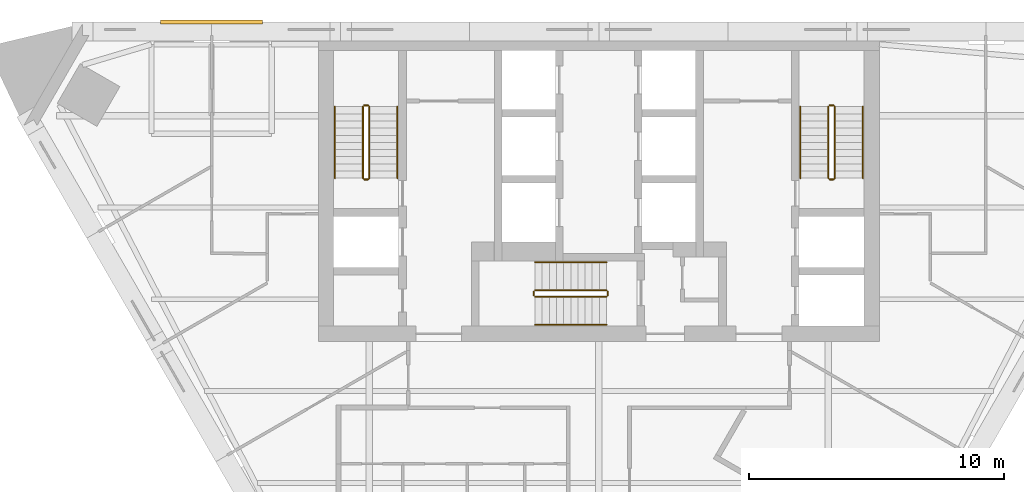
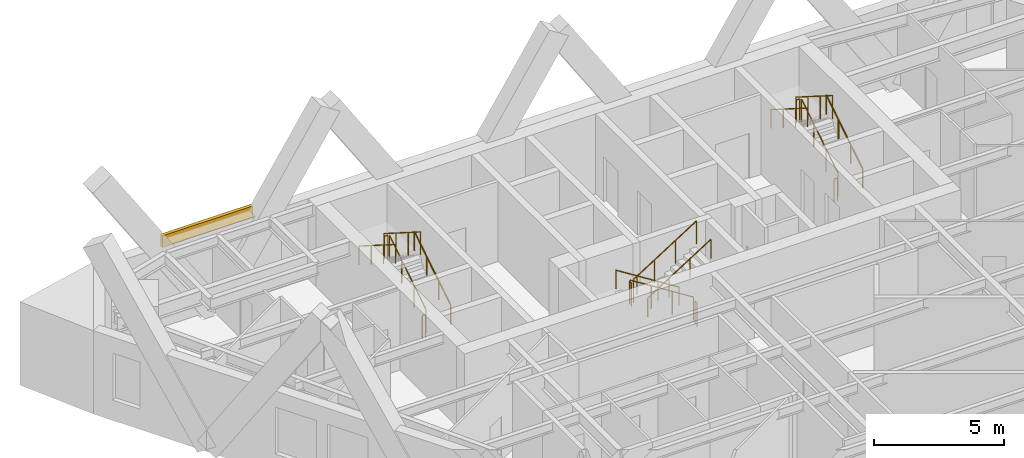
# One storey, part 7 of 7: 18 railings, 1 covering.
"""IFC4 building model written with IfcOpenShell, lengths in metres."""

import ifcopenshell
import ifcopenshell.guid

model = None  # the IFC model being written
_history = None  # IfcOwnerHistory: only IFC2X3 demands one
_inside = {}  # id of a spatial element -> (the spatial element, [elements in it])
_under = {}  # id of a project, library or spatial element -> (it, [spatial elements below it])
_declared = {}  # id of a project -> (the project, [libraries it declares])
_typed = {}  # id of a type object -> (the type object, [elements of that type])
_made_of = {}  # id of a material, layer set ... -> (it, [elements and type objects made of it])


def new_model(schema):
    """Start an empty IFC model of exactly this schema.

    Asked for "IFC4X3", IfcOpenShell would pick the latest addendum, in which some entities
    have other attributes; the version numbers below select the first issue.
    IFC2X3 requires an IfcOwnerHistory on every rooted entity: one is made here for all.
    """
    global model, _history
    if schema == "IFC4X3":
        model = ifcopenshell.file(schema_version=(4, 3, 0, 0))
    else:
        model = ifcopenshell.file(schema=schema)
    _inside.clear()
    _under.clear()
    _declared.clear()
    _typed.clear()
    _made_of.clear()
    _history = None
    if model.schema == "IFC2X3":
        org = make("IfcOrganization", Name="unknown")
        user = make(
            "IfcPersonAndOrganization",
            ThePerson=make("IfcPerson", FamilyName="unknown"),
            TheOrganization=org,
        )
        app = make(
            "IfcApplication",
            ApplicationDeveloper=org,
            Version="unknown",
            ApplicationFullName="unknown",
            ApplicationIdentifier="unknown",
        )
        _history = make(
            "IfcOwnerHistory",
            OwningUser=user,
            OwningApplication=app,
            ChangeAction="ADDED",
            CreationDate=0,
        )
    return model


def make(cls, **values):
    """One entity of the class cls with the attributes given. An attribute that is None is left unset."""
    return model.create_entity(
        cls, **{name: value for name, value in values.items() if value is not None}
    )


def rooted(cls, **values):
    """An entity with a GlobalId (a new one), such as an element, a storey or a relation."""
    return make(cls, GlobalId=ifcopenshell.guid.new(), OwnerHistory=_history, **values)


def si_unit(unit_type, name, prefix=None):
    """IfcSIUnit, for example si_unit("LENGTHUNIT", "METRE", prefix="MILLI")."""
    return make("IfcSIUnit", UnitType=unit_type, Prefix=prefix, Name=name)


def assignment(units):
    """IfcUnitAssignment: the units of a project."""
    return None if units is None else make("IfcUnitAssignment", Units=units)


def point(xyz):
    """IfcCartesianPoint."""
    return None if xyz is None else make("IfcCartesianPoint", Coordinates=xyz)


def direction(xyz):
    """IfcDirection."""
    return None if xyz is None else make("IfcDirection", DirectionRatios=xyz)


def frame(location, z_axis=None, x_axis=None):
    """IfcAxis2Placement3D, a coordinate frame: its origin and axes. An axis left out is left unset."""
    return make(
        "IfcAxis2Placement3D",
        Location=point(location),
        Axis=direction(z_axis),
        RefDirection=direction(x_axis),
    )


def frame_2d(location, x_axis=None):
    """IfcAxis2Placement2D, a coordinate frame in the plane: its origin and x axis."""
    return make(
        "IfcAxis2Placement2D", Location=point(location), RefDirection=direction(x_axis)
    )


def origin():
    """The frame at (0, 0, 0) with its axes left unset."""
    return frame((0.0, 0.0, 0.0))


def origin_2d():
    """The frame at (0, 0) in the plane with its x axis left unset."""
    return frame_2d((0.0, 0.0))


def place(relative_to, where):
    """IfcLocalPlacement: puts the frame where relative to a parent placement (None: the world)."""
    return make(
        "IfcLocalPlacement", PlacementRelTo=relative_to, RelativePlacement=where
    )


def context(
    kind, dimensions, precision=None, world=None, true_north=None, identifier=None
):
    """IfcGeometricRepresentationContext, for example the 3D "Model" context."""
    return make(
        "IfcGeometricRepresentationContext",
        ContextIdentifier=identifier,
        ContextType=kind,
        CoordinateSpaceDimension=dimensions,
        Precision=precision,
        WorldCoordinateSystem=world,
        TrueNorth=true_north,
    )


def subcontext(parent, identifier, kind, view, scale=None):
    """IfcGeometricRepresentationSubContext, for example "Body" below "Model"."""
    return make(
        "IfcGeometricRepresentationSubContext",
        ContextIdentifier=identifier,
        ContextType=kind,
        ParentContext=parent,
        TargetScale=scale,
        TargetView=view,
    )


def project(units=None, contexts=None):
    """IfcProject with its units and contexts."""
    return rooted(
        "IfcProject",
        Name="project",
        RepresentationContexts=contexts,
        UnitsInContext=assignment(units),
    )


def spatial(cls, under=None, at=None, **own):
    """A site, building, storey or space (cls), placed at a placement, below another one or the project."""
    s = rooted(cls, ObjectPlacement=at, **own)
    if under is not None:
        _under.setdefault(under.id(), (under, []))[1].append(s)
    return s


def polyline(points):
    """IfcPolyline through the points."""
    return make("IfcPolyline", Points=[point(p) for p in points])


def profile(cls, at=None, kind="AREA", **sizes):
    """A parametric profile (cls). Its sizes go by their IFC names, for example OverallWidth=200.0."""
    return make(cls, ProfileType=kind, Position=at, **sizes)


def circle(**sizes):
    """IfcCircleProfileDef."""
    return profile("IfcCircleProfileDef", **sizes)


def outline(outer, holes=None, kind="AREA"):
    """IfcArbitraryClosedProfileDef: a profile drawn as a closed curve; with holes, ...WithVoids."""
    if holes is None:
        return make("IfcArbitraryClosedProfileDef", ProfileType=kind, OuterCurve=outer)
    return make(
        "IfcArbitraryProfileDefWithVoids",
        ProfileType=kind,
        OuterCurve=outer,
        InnerCurves=holes,
    )


def extrude(swept, where, along, depth):
    """IfcExtrudedAreaSolid: the profile swept, set in the frame where, extruded along a direction by depth."""
    return make(
        "IfcExtrudedAreaSolid",
        SweptArea=swept,
        Position=where,
        ExtrudedDirection=direction(along),
        Depth=depth,
    )


def shape(context_of_items, identifier, shape_type, items):
    """IfcShapeRepresentation: the items that make up one representation, for example the "Body"."""
    return make(
        "IfcShapeRepresentation",
        ContextOfItems=context_of_items,
        RepresentationIdentifier=identifier,
        RepresentationType=shape_type,
        Items=items,
    )


def material(Name=None, Category=None):
    """IfcMaterial."""
    return make("IfcMaterial", Name=Name, Category=Category)


def layer(
    of_material, thickness, ventilated=None, Name=None, Category=None, Priority=None
):
    """IfcMaterialLayer: one layer of a wall or slab, of a material (None: an air gap)."""
    return make(
        "IfcMaterialLayer",
        Material=of_material,
        LayerThickness=thickness,
        IsVentilated=ventilated,
        Name=Name,
        Category=Category,
        Priority=Priority,
    )


def layer_set(layers, Name=None):
    """IfcMaterialLayerSet."""
    return make("IfcMaterialLayerSet", MaterialLayers=layers, LayerSetName=Name)


def made_of(thing, what):
    """Note that an element or type object is made of a material, layer set ...; save() writes the relation."""
    if what is not None:
        _made_of.setdefault(what.id(), (what, []))[1].append(thing)
    return thing


def type_object(cls, material=None, **own):
    """A type object (cls), such as IfcWallType, which elements share."""
    return made_of(rooted(cls, **own), material)


def element(
    cls,
    number,
    at=None,
    inside=None,
    cuts=None,
    type_object=None,
    material=None,
    context=None,
    identifier="Body",
    shape_type=None,
    held_by="IfcProductDefinitionShape",
    body=None,
    shapes=None,
    **own,
):
    """One element of the class cls, such as IfcWall. Its Tag is "e" and its number.

    at: its placement. inside: the storey or other place that contains it. cuts: it is an
    opening in that element (IfcRelVoidsElement). A single representation is given by context,
    identifier, shape_type and body (its items); several are given by shapes. held_by: the class
    of the entity that holds the representations. save() writes the other relations.
    """
    e = rooted(cls, Tag="e%d" % number, ObjectPlacement=at, **own)
    if body is not None:
        shapes = [shape(context, identifier, shape_type, body)]
    if shapes is not None:
        e.Representation = make(held_by, Representations=shapes)
    if inside is not None:
        _inside.setdefault(inside.id(), (inside, []))[1].append(e)
    if cuts is not None:
        rooted(
            "IfcRelVoidsElement", RelatingBuildingElement=cuts, RelatedOpeningElement=e
        )
    if type_object is not None:
        _typed.setdefault(type_object.id(), (type_object, []))[1].append(e)
    return made_of(e, material)


def aggregate(whole, parts):
    """IfcRelAggregates: a whole, such as a stair, and the parts it consists of."""
    return rooted("IfcRelAggregates", RelatingObject=whole, RelatedObjects=parts)


def save(model, path):
    """Write the relations noted so far, then the file.

    IfcRelAggregates (storeys below a building ...), IfcRelContainedInSpatialStructure (elements
    in a storey), IfcRelDefinesByType, IfcRelAssociatesMaterial and IfcRelDeclares: one each for
    every whole, place, type object, material and project.
    """
    for whole, parts in _under.values():
        aggregate(whole, parts)
    for where, things in _inside.values():
        rooted(
            "IfcRelContainedInSpatialStructure",
            RelatedElements=things,
            RelatingStructure=where,
        )
    for kind, things in _typed.values():
        rooted("IfcRelDefinesByType", RelatedObjects=things, RelatingType=kind)
    for what, things in _made_of.values():
        rooted("IfcRelAssociatesMaterial", RelatedObjects=things, RelatingMaterial=what)
    for by, libraries in _declared.values():
        rooted("IfcRelDeclares", RelatingContext=by, RelatedDefinitions=libraries)
    model.write(path)


model = new_model("IFC4")

# Units and contexts
model_context = context("Model", 3, precision=1e-05, world=origin(), true_north=direction((0.0, 1.0)))
body_context = subcontext(model_context, "Body", "Model", "MODEL_VIEW")
ifc_project = project(units=[si_unit("LENGTHUNIT", "METRE"), si_unit("AREAUNIT", "SQUARE_METRE"), si_unit("VOLUMEUNIT", "CUBIC_METRE"), si_unit("PLANEANGLEUNIT", "RADIAN"), si_unit("MASSUNIT", "GRAM", prefix="KILO")], contexts=[model_context])

# Site, building, storey
site_placement = place(None, origin())
site = spatial("IfcSite", under=ifc_project, at=site_placement, CompositionType="ELEMENT")
building_placement = place(site_placement, origin())
building = spatial("IfcBuilding", under=site, at=building_placement, Name="Aloe Facet Convention Tower", CompositionType="ELEMENT")
storey_placement = place(building_placement, frame((0.0, 0.0, 136.39990234375)))
storey = spatial("IfcBuildingStorey", under=building, at=storey_placement, Name="L34", CompositionType="ELEMENT", Elevation=136.39990234375)

# Railings
ifc_material_1 = material(Name="Steel S355 balustrade", Category="steel")
railing_type_1 = type_object("IfcRailingType", Name="CR-RL-GUARD", PredefinedType="GUARDRAIL", material=ifc_material_1)
railing_1_placement = place(storey_placement, frame((71.0, 128.949951171875, 0.177490234375)))
element("IfcRailing", 1, at=railing_1_placement, inside=storey, type_object=railing_type_1, Name="L34 ST1 stair guard 1", PredefinedType="GUARDRAIL", context=body_context, shape_type="SweptSolid", body=[
    extrude(circle(Radius=0.02392578125, at=origin_2d()), frame((0.0, 0.0, 1.076171875), z_axis=(0.0, 0.844908973607, 0.534910110503), x_axis=(-1.0, 0.0, 0.0)), (0.0, 0.0, 1.0), 3.31396484375),
    extrude(circle(Radius=0.02099609375, at=origin_2d()), origin(), (0.0, 0.0, 1.0), 1.052001953125),
    extrude(circle(Radius=0.02099609375, at=origin_2d()), frame((0.0, 0.933349609375, 0.5908203125)), (0.0, 0.0, 1.0), 1.052001953125),
    extrude(circle(Radius=0.02099609375, at=origin_2d()), frame((0.0, 1.86669921875, 1.181884765625)), (0.0, 0.0, 1.0), 1.052001953125),
    extrude(circle(Radius=0.02099609375, at=origin_2d()), frame((0.0, 2.800048828125, 1.772705078125)), (0.0, 0.0, 1.0), 1.052001953125),
])
railing_2_placement = place(storey_placement, frame((70.949951171875, 131.800048828125, 1.9501953125)))
element("IfcRailing", 2, at=railing_2_placement, inside=storey, type_object=railing_type_1, Name="L34 ST1 stair guard 2", PredefinedType="GUARDRAIL", context=body_context, shape_type="SweptSolid", body=[
    extrude(circle(Radius=0.02392578125, at=origin_2d()), frame((0.0, 0.0, 1.076171875), z_axis=(-1.0, 0.0, 0.0), x_axis=(0.0, -1.0, 0.0)), (0.0, 0.0, 1.0), 0.14990234375),
    extrude(circle(Radius=0.02099609375, at=origin_2d()), origin(), (0.0, 0.0, 1.0), 1.052001953125),
    extrude(circle(Radius=0.02099609375, at=origin_2d()), frame((-0.14990234375, 0.0, 0.0)), (0.0, 0.0, 1.0), 1.052001953125),
])
railing_3_placement = place(storey_placement, frame((70.75, 131.75, 2.12744140625)))
element("IfcRailing", 3, at=railing_3_placement, inside=storey, type_object=railing_type_1, Name="L34 ST1 stair guard 3", PredefinedType="GUARDRAIL", context=body_context, shape_type="SweptSolid", body=[
    extrude(circle(Radius=0.02392578125, at=origin_2d()), frame((0.0, 0.0, 1.076171875), z_axis=(0.0, -0.844908973607, 0.534910110503), x_axis=(1.0, 0.0, 0.0)), (0.0, 0.0, 1.0), 3.31396484375),
    extrude(circle(Radius=0.02099609375, at=origin_2d()), origin(), (0.0, 0.0, 1.0), 1.052001953125),
    extrude(circle(Radius=0.02099609375, at=origin_2d()), frame((0.0, -0.933349609375, 0.5908203125)), (0.0, 0.0, 1.0), 1.052001953125),
    extrude(circle(Radius=0.02099609375, at=origin_2d()), frame((0.0, -1.86669921875, 1.181884765625)), (0.0, 0.0, 1.0), 1.052001953125),
    extrude(circle(Radius=0.02099609375, at=origin_2d()), frame((0.0, -2.800048828125, 1.772705078125)), (0.0, 0.0, 1.0), 1.052001953125),
])
railing_4_placement = place(storey_placement, frame((70.949951171875, 128.89990234375, 0.0)))
element("IfcRailing", 4, at=railing_4_placement, inside=storey, type_object=railing_type_1, Name="L34 ST1 stair guard 4", PredefinedType="GUARDRAIL", context=body_context, shape_type="SweptSolid", body=[
    extrude(circle(Radius=0.02392578125, at=origin_2d()), frame((0.0, 0.0, 1.076171875), z_axis=(-1.0, 0.0, 0.0), x_axis=(0.0, -1.0, 0.0)), (0.0, 0.0, 1.0), 0.14990234375),
    extrude(circle(Radius=0.02099609375, at=origin_2d()), origin(), (0.0, 0.0, 1.0), 1.052001953125),
    extrude(circle(Radius=0.02099609375, at=origin_2d()), frame((-0.14990234375, 0.0, 0.0)), (0.0, 0.0, 1.0), 1.052001953125),
])
railing_5_placement = place(storey_placement, frame((89.25, 128.949951171875, 0.177490234375)))
element("IfcRailing", 5, at=railing_5_placement, inside=storey, type_object=railing_type_1, Name="L34 ST2 stair guard 1", PredefinedType="GUARDRAIL", context=body_context, shape_type="SweptSolid", body=[
    extrude(circle(Radius=0.02392578125, at=origin_2d()), frame((0.0, 0.0, 1.076171875), z_axis=(0.0, 0.844908973607, 0.534910110503), x_axis=(-1.0, 0.0, 0.0)), (0.0, 0.0, 1.0), 3.31396484375),
    extrude(circle(Radius=0.02099609375, at=origin_2d()), origin(), (0.0, 0.0, 1.0), 1.052001953125),
    extrude(circle(Radius=0.02099609375, at=origin_2d()), frame((0.0, 0.933349609375, 0.5908203125)), (0.0, 0.0, 1.0), 1.052001953125),
    extrude(circle(Radius=0.02099609375, at=origin_2d()), frame((0.0, 1.86669921875, 1.181884765625)), (0.0, 0.0, 1.0), 1.052001953125),
    extrude(circle(Radius=0.02099609375, at=origin_2d()), frame((0.0, 2.800048828125, 1.772705078125)), (0.0, 0.0, 1.0), 1.052001953125),
])
railing_6_placement = place(storey_placement, frame((89.199951171875, 131.800048828125, 1.9501953125)))
element("IfcRailing", 6, at=railing_6_placement, inside=storey, type_object=railing_type_1, Name="L34 ST2 stair guard 2", PredefinedType="GUARDRAIL", context=body_context, shape_type="SweptSolid", body=[
    extrude(circle(Radius=0.02392578125, at=origin_2d()), frame((0.0, 0.0, 1.076171875), z_axis=(-1.0, 0.0, 0.0), x_axis=(0.0, -1.0, 0.0)), (0.0, 0.0, 1.0), 0.14990234375),
    extrude(circle(Radius=0.02099609375, at=origin_2d()), origin(), (0.0, 0.0, 1.0), 1.052001953125),
    extrude(circle(Radius=0.02099609375, at=origin_2d()), frame((-0.14990234375, 0.0, 0.0)), (0.0, 0.0, 1.0), 1.052001953125),
])
railing_7_placement = place(storey_placement, frame((89.0, 131.75, 2.12744140625)))
element("IfcRailing", 7, at=railing_7_placement, inside=storey, type_object=railing_type_1, Name="L34 ST2 stair guard 3", PredefinedType="GUARDRAIL", context=body_context, shape_type="SweptSolid", body=[
    extrude(circle(Radius=0.02392578125, at=origin_2d()), frame((0.0, 0.0, 1.076171875), z_axis=(0.0, -0.844908973607, 0.534910110503), x_axis=(1.0, 0.0, 0.0)), (0.0, 0.0, 1.0), 3.31396484375),
    extrude(circle(Radius=0.02099609375, at=origin_2d()), origin(), (0.0, 0.0, 1.0), 1.052001953125),
    extrude(circle(Radius=0.02099609375, at=origin_2d()), frame((0.0, -0.933349609375, 0.5908203125)), (0.0, 0.0, 1.0), 1.052001953125),
    extrude(circle(Radius=0.02099609375, at=origin_2d()), frame((0.0, -1.86669921875, 1.181884765625)), (0.0, 0.0, 1.0), 1.052001953125),
    extrude(circle(Radius=0.02099609375, at=origin_2d()), frame((0.0, -2.800048828125, 1.772705078125)), (0.0, 0.0, 1.0), 1.052001953125),
])
railing_8_placement = place(storey_placement, frame((89.199951171875, 128.89990234375, 0.0)))
element("IfcRailing", 8, at=railing_8_placement, inside=storey, type_object=railing_type_1, Name="L34 ST2 stair guard 4", PredefinedType="GUARDRAIL", context=body_context, shape_type="SweptSolid", body=[
    extrude(circle(Radius=0.02392578125, at=origin_2d()), frame((0.0, 0.0, 1.076171875), z_axis=(-1.0, 0.0, 0.0), x_axis=(0.0, -1.0, 0.0)), (0.0, 0.0, 1.0), 0.14990234375),
    extrude(circle(Radius=0.02099609375, at=origin_2d()), origin(), (0.0, 0.0, 1.0), 1.052001953125),
    extrude(circle(Radius=0.02099609375, at=origin_2d()), frame((-0.14990234375, 0.0, 0.0)), (0.0, 0.0, 1.0), 1.052001953125),
])
railing_9_placement = place(storey_placement, frame((80.300048828125, 124.550048828125, 0.177490234375)))
element("IfcRailing", 9, at=railing_9_placement, inside=storey, type_object=railing_type_1, Name="L34 ST3 stair guard 1", PredefinedType="GUARDRAIL", context=body_context, shape_type="SweptSolid", body=[
    extrude(circle(Radius=0.02392578125, at=origin_2d()), frame((0.0, 0.0, 1.076171875), z_axis=(-0.844908973607, 0.0, 0.534910110503), x_axis=(0.0, -1.0, 0.0)), (0.0, 0.0, 1.0), 3.31396484375),
    extrude(circle(Radius=0.02099609375, at=origin_2d()), origin(), (0.0, 0.0, 1.0), 1.052001953125),
    extrude(circle(Radius=0.02099609375, at=origin_2d()), frame((-0.933349609375, 0.0, 0.5908203125)), (0.0, 0.0, 1.0), 1.052001953125),
    extrude(circle(Radius=0.02099609375, at=origin_2d()), frame((-1.86669921875, 0.0, 1.181884765625)), (0.0, 0.0, 1.0), 1.052001953125),
    extrude(circle(Radius=0.02099609375, at=origin_2d()), frame((-2.800048828125, 0.0, 1.772705078125)), (0.0, 0.0, 1.0), 1.052001953125),
])
railing_10_placement = place(storey_placement, frame((77.449951171875, 124.5, 1.9501953125)))
element("IfcRailing", 10, at=railing_10_placement, inside=storey, type_object=railing_type_1, Name="L34 ST3 stair guard 2", PredefinedType="GUARDRAIL", context=body_context, shape_type="SweptSolid", body=[
    extrude(circle(Radius=0.02392578125, at=origin_2d()), frame((0.0, 0.0, 1.076171875), z_axis=(0.0, -1.0, 0.0), x_axis=(1.0, 0.0, 0.0)), (0.0, 0.0, 1.0), 0.14990234375),
    extrude(circle(Radius=0.02099609375, at=origin_2d()), origin(), (0.0, 0.0, 1.0), 1.052001953125),
    extrude(circle(Radius=0.02099609375, at=origin_2d()), frame((0.0, -0.14990234375, 0.0)), (0.0, 0.0, 1.0), 1.052001953125),
])
railing_11_placement = place(storey_placement, frame((77.5, 124.300048828125, 2.12744140625)))
element("IfcRailing", 11, at=railing_11_placement, inside=storey, type_object=railing_type_1, Name="L34 ST3 stair guard 3", PredefinedType="GUARDRAIL", context=body_context, shape_type="SweptSolid", body=[
    extrude(circle(Radius=0.02392578125, at=origin_2d()), frame((0.0, 0.0, 1.076171875), z_axis=(0.844908973607, 0.0, 0.534910110503), x_axis=(0.0, 1.0, 0.0)), (0.0, 0.0, 1.0), 3.31396484375),
    extrude(circle(Radius=0.02099609375, at=origin_2d()), origin(), (0.0, 0.0, 1.0), 1.052001953125),
    extrude(circle(Radius=0.02099609375, at=origin_2d()), frame((0.933349609375, 0.0, 0.5908203125)), (0.0, 0.0, 1.0), 1.052001953125),
    extrude(circle(Radius=0.02099609375, at=origin_2d()), frame((1.86669921875, 0.0, 1.181884765625)), (0.0, 0.0, 1.0), 1.052001953125),
    extrude(circle(Radius=0.02099609375, at=origin_2d()), frame((2.800048828125, 0.0, 1.772705078125)), (0.0, 0.0, 1.0), 1.052001953125),
])
railing_12_placement = place(storey_placement, frame((80.35009765625, 124.5, 0.0)))
element("IfcRailing", 12, at=railing_12_placement, inside=storey, type_object=railing_type_1, Name="L34 ST3 stair guard 4", PredefinedType="GUARDRAIL", context=body_context, shape_type="SweptSolid", body=[
    extrude(circle(Radius=0.02392578125, at=origin_2d()), frame((0.0, 0.0, 1.076171875), z_axis=(0.0, -1.0, 0.0), x_axis=(1.0, 0.0, 0.0)), (0.0, 0.0, 1.0), 0.14990234375),
    extrude(circle(Radius=0.02099609375, at=origin_2d()), origin(), (0.0, 0.0, 1.0), 1.052001953125),
    extrude(circle(Radius=0.02099609375, at=origin_2d()), frame((0.0, -0.14990234375, 0.0)), (0.0, 0.0, 1.0), 1.052001953125),
])
ifc_material_2 = material(Name="Steel S355 handrail", Category="steel")
railing_type_2 = type_object("IfcRailingType", Name="CR-RL-HAND", PredefinedType="HANDRAIL", material=ifc_material_2)
railing_13_placement = place(storey_placement, frame((72.10009765625, 128.949951171875, 0.177490234375)))
element("IfcRailing", 13, at=railing_13_placement, inside=storey, type_object=railing_type_2, Name="L34 ST1 stair handrail 1", PredefinedType="HANDRAIL", context=body_context, shape_type="SweptSolid", body=[
    extrude(circle(Radius=0.02392578125, at=origin_2d()), frame((0.0, 0.0, 0.8759765625), z_axis=(0.0, 0.844908973607, 0.534910110503), x_axis=(-1.0, 0.0, 0.0)), (0.0, 0.0, 1.0), 3.31396484375),
    extrude(circle(Radius=0.02099609375, at=origin_2d()), origin(), (0.0, 0.0, 1.0), 0.851806640625),
    extrude(circle(Radius=0.02099609375, at=origin_2d()), frame((0.0, 0.933349609375, 0.5908203125)), (0.0, 0.0, 1.0), 0.851806640625),
    extrude(circle(Radius=0.02099609375, at=origin_2d()), frame((0.0, 1.86669921875, 1.181884765625)), (0.0, 0.0, 1.0), 0.851806640625),
    extrude(circle(Radius=0.02099609375, at=origin_2d()), frame((0.0, 2.800048828125, 1.772705078125)), (0.0, 0.0, 1.0), 0.851806640625),
])
railing_14_placement = place(storey_placement, frame((69.64990234375, 131.75, 2.12744140625)))
element("IfcRailing", 14, at=railing_14_placement, inside=storey, type_object=railing_type_2, Name="L34 ST1 stair handrail 2", PredefinedType="HANDRAIL", context=body_context, shape_type="SweptSolid", body=[
    extrude(circle(Radius=0.02392578125, at=origin_2d()), frame((0.0, 0.0, 0.8759765625), z_axis=(0.0, -0.844908973607, 0.534910110503), x_axis=(1.0, 0.0, 0.0)), (0.0, 0.0, 1.0), 3.31396484375),
    extrude(circle(Radius=0.02099609375, at=origin_2d()), origin(), (0.0, 0.0, 1.0), 0.851806640625),
    extrude(circle(Radius=0.02099609375, at=origin_2d()), frame((0.0, -0.933349609375, 0.5908203125)), (0.0, 0.0, 1.0), 0.851806640625),
    extrude(circle(Radius=0.02099609375, at=origin_2d()), frame((0.0, -1.86669921875, 1.181884765625)), (0.0, 0.0, 1.0), 0.851806640625),
    extrude(circle(Radius=0.02099609375, at=origin_2d()), frame((0.0, -2.800048828125, 1.772705078125)), (0.0, 0.0, 1.0), 0.851806640625),
])
railing_15_placement = place(storey_placement, frame((90.35009765625, 128.949951171875, 0.177490234375)))
element("IfcRailing", 15, at=railing_15_placement, inside=storey, type_object=railing_type_2, Name="L34 ST2 stair handrail 1", PredefinedType="HANDRAIL", context=body_context, shape_type="SweptSolid", body=[
    extrude(circle(Radius=0.02392578125, at=origin_2d()), frame((0.0, 0.0, 0.8759765625), z_axis=(0.0, 0.844908973607, 0.534910110503), x_axis=(-1.0, 0.0, 0.0)), (0.0, 0.0, 1.0), 3.31396484375),
    extrude(circle(Radius=0.02099609375, at=origin_2d()), origin(), (0.0, 0.0, 1.0), 0.851806640625),
    extrude(circle(Radius=0.02099609375, at=origin_2d()), frame((0.0, 0.933349609375, 0.5908203125)), (0.0, 0.0, 1.0), 0.851806640625),
    extrude(circle(Radius=0.02099609375, at=origin_2d()), frame((0.0, 1.86669921875, 1.181884765625)), (0.0, 0.0, 1.0), 0.851806640625),
    extrude(circle(Radius=0.02099609375, at=origin_2d()), frame((0.0, 2.800048828125, 1.772705078125)), (0.0, 0.0, 1.0), 0.851806640625),
])
railing_16_placement = place(storey_placement, frame((87.89990234375, 131.75, 2.12744140625)))
element("IfcRailing", 16, at=railing_16_placement, inside=storey, type_object=railing_type_2, Name="L34 ST2 stair handrail 2", PredefinedType="HANDRAIL", context=body_context, shape_type="SweptSolid", body=[
    extrude(circle(Radius=0.02392578125, at=origin_2d()), frame((0.0, 0.0, 0.8759765625), z_axis=(0.0, -0.844908973607, 0.534910110503), x_axis=(1.0, 0.0, 0.0)), (0.0, 0.0, 1.0), 3.31396484375),
    extrude(circle(Radius=0.02099609375, at=origin_2d()), origin(), (0.0, 0.0, 1.0), 0.851806640625),
    extrude(circle(Radius=0.02099609375, at=origin_2d()), frame((0.0, -0.933349609375, 0.5908203125)), (0.0, 0.0, 1.0), 0.851806640625),
    extrude(circle(Radius=0.02099609375, at=origin_2d()), frame((0.0, -1.86669921875, 1.181884765625)), (0.0, 0.0, 1.0), 0.851806640625),
    extrude(circle(Radius=0.02099609375, at=origin_2d()), frame((0.0, -2.800048828125, 1.772705078125)), (0.0, 0.0, 1.0), 0.851806640625),
])
railing_17_placement = place(storey_placement, frame((80.300048828125, 125.64990234375, 0.177490234375)))
element("IfcRailing", 17, at=railing_17_placement, inside=storey, type_object=railing_type_2, Name="L34 ST3 stair handrail 1", PredefinedType="HANDRAIL", context=body_context, shape_type="SweptSolid", body=[
    extrude(circle(Radius=0.02392578125, at=origin_2d()), frame((0.0, 0.0, 0.8759765625), z_axis=(-0.844908973607, 0.0, 0.534910110503), x_axis=(0.0, -1.0, 0.0)), (0.0, 0.0, 1.0), 3.31396484375),
    extrude(circle(Radius=0.02099609375, at=origin_2d()), origin(), (0.0, 0.0, 1.0), 0.851806640625),
    extrude(circle(Radius=0.02099609375, at=origin_2d()), frame((-0.933349609375, 0.0, 0.5908203125)), (0.0, 0.0, 1.0), 0.851806640625),
    extrude(circle(Radius=0.02099609375, at=origin_2d()), frame((-1.86669921875, 0.0, 1.181884765625)), (0.0, 0.0, 1.0), 0.851806640625),
    extrude(circle(Radius=0.02099609375, at=origin_2d()), frame((-2.800048828125, 0.0, 1.772705078125)), (0.0, 0.0, 1.0), 0.851806640625),
])
railing_18_placement = place(storey_placement, frame((77.5, 123.199951171875, 2.12744140625)))
element("IfcRailing", 18, at=railing_18_placement, inside=storey, type_object=railing_type_2, Name="L34 ST3 stair handrail 2", PredefinedType="HANDRAIL", context=body_context, shape_type="SweptSolid", body=[
    extrude(circle(Radius=0.02392578125, at=origin_2d()), frame((0.0, 0.0, 0.8759765625), z_axis=(0.844908973607, 0.0, 0.534910110503), x_axis=(0.0, 1.0, 0.0)), (0.0, 0.0, 1.0), 3.31396484375),
    extrude(circle(Radius=0.02099609375, at=origin_2d()), origin(), (0.0, 0.0, 1.0), 0.851806640625),
    extrude(circle(Radius=0.02099609375, at=origin_2d()), frame((0.933349609375, 0.0, 0.5908203125)), (0.0, 0.0, 1.0), 0.851806640625),
    extrude(circle(Radius=0.02099609375, at=origin_2d()), frame((1.86669921875, 0.0, 1.181884765625)), (0.0, 0.0, 1.0), 0.851806640625),
    extrude(circle(Radius=0.02099609375, at=origin_2d()), frame((2.800048828125, 0.0, 1.772705078125)), (0.0, 0.0, 1.0), 0.851806640625),
])

# Covering
ifc_material_3 = material(Name="Bronze oxide fascia sheet")
ifc_layer = layer(ifc_material_3, 0.14990234375)
ifc_layer_set = layer_set([ifc_layer], Name="EV-FASCIA-TERR")
covering_type = type_object("IfcCoveringType", Name="EV-FASCIA-TERR", PredefinedType="CLADDING", material=ifc_layer_set)
covering_placement = place(storey_placement, frame((0.0, 0.0, 3.35009765625)))
element("IfcCovering", 19, at=covering_placement, inside=storey, type_object=covering_type, Name="Terrace fascia T07 sill", PredefinedType="CLADDING", context=body_context, shape_type="SweptSolid", body=[
    extrude(outline(polyline([(66.817626953125, 135.14990234375), (62.817626953125, 135.14990234375), (62.817626953125, 135.0), (66.817626953125, 135.0), (66.817626953125, 135.14990234375)])), origin(), (0.0, 0.0, 1.0), 0.550048828125),
])

save(model, "model.ifc")
